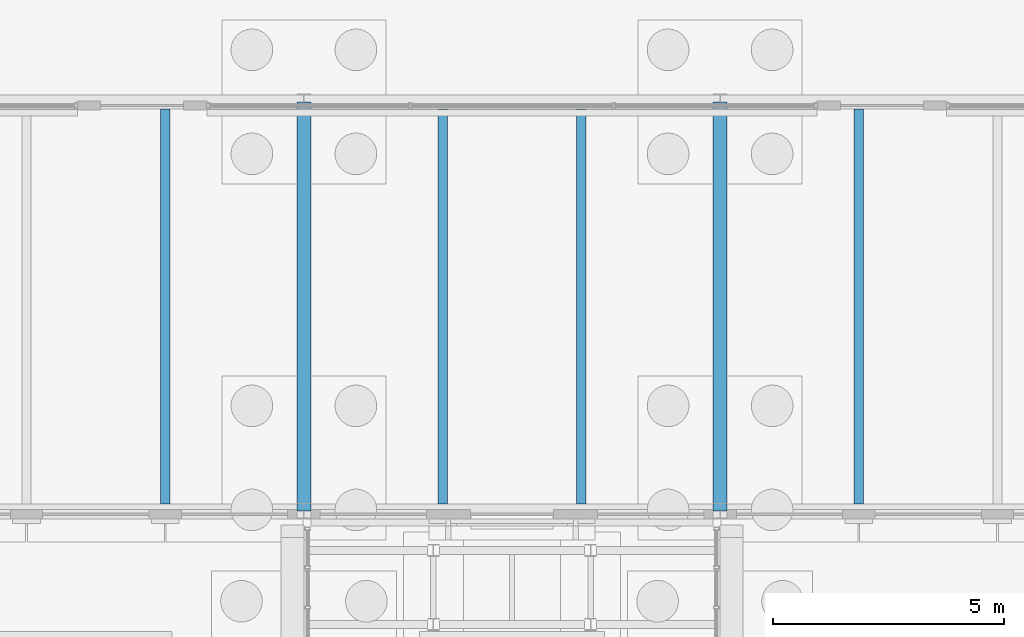
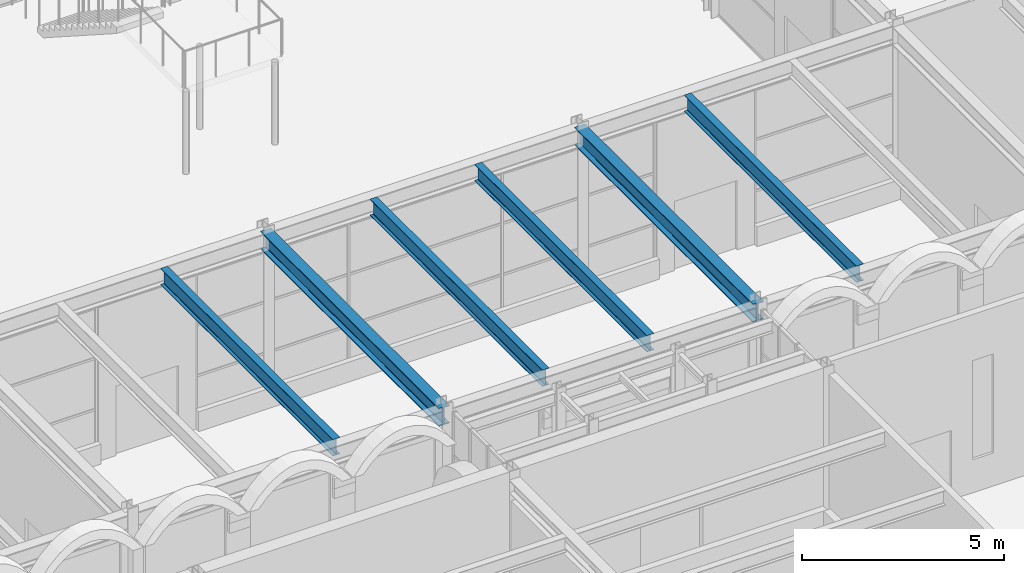
# One storey, part 35 of 126: 6 beams.
"""IFC4 building model written with IfcOpenShell, lengths in metres."""

from ifc_helpers import new_model, si_unit, direction, frame, origin, origin_2d, place, context, subcontext, project, spatial, i_section, extrude, material, material_profile, profile_set, type_object, element, save


model = new_model("IFC4")

# Units and contexts
model_context = context("Model", 3, precision=1e-05, world=origin(), true_north=direction((0.0, 1.0)))
body_context = subcontext(model_context, "Body", "Model", "MODEL_VIEW")
ifc_project = project(units=[si_unit("LENGTHUNIT", "METRE"), si_unit("AREAUNIT", "SQUARE_METRE"), si_unit("VOLUMEUNIT", "CUBIC_METRE"), si_unit("PLANEANGLEUNIT", "RADIAN"), si_unit("MASSUNIT", "GRAM", prefix="KILO")], contexts=[model_context])

# Site, building, storey
site_placement = place(None, origin())
site = spatial("IfcSite", under=ifc_project, at=site_placement, CompositionType="ELEMENT")
building_placement = place(site_placement, origin())
building = spatial("IfcBuilding", under=site, at=building_placement, Name="Kallimachos Central Library", CompositionType="ELEMENT")
storey_placement = place(building_placement, origin())
storey = spatial("IfcBuildingStorey", under=building, at=storey_placement, Name="L00", CompositionType="ELEMENT", Elevation=0.0)

# Beams
ifc_material_1 = material(Name="Steel S355J2", Category="steel")
ifc_material_profile_1 = material_profile(ifc_material_1, i_section(OverallWidth=0.300048828125, OverallDepth=0.550048828125, WebThickness=0.014892578125, FlangeThickness=0.029052734375, FilletRadius=0.027099609375, at=origin_2d()), Name="HEB 550")
ifc_profile_set_1 = profile_set([ifc_material_profile_1], Name="Steel S355J2")
beam_type_1 = type_object("IfcBeamType", Name="HEB 550 beam", PredefinedType="BEAM", material=ifc_profile_set_1)
for number, where, z_axis, x_axis, name in (
    (1, (83.5, 48.14990234375, 4.925048828125), (0.0, 1.0, 0.0), (-1.0, 0.0, 0.0), "V4-BEM-L00-051"),
    (2, (92.5, 48.14990234375, 4.925048828125), (0.0, 1.0, 0.0), (-1.0, 0.0, 0.0), "V4-BEM-L00-052"),
):
    element("IfcBeam", number, at=place(storey_placement, frame(where, z_axis=z_axis, x_axis=x_axis)), inside=storey, type_object=beam_type_1, Name=name, PredefinedType="BEAM", context=body_context, shape_type="SweptSolid", body=[
        extrude(i_section(OverallWidth=0.300048828125, OverallDepth=0.550048828125, WebThickness=0.014892578125, FlangeThickness=0.029052734375, FilletRadius=0.027099609375, at=origin_2d()), origin(), (0.0, 0.0, 1.0), 8.85009765625),
    ])
ifc_material_2 = material(Name="Steel S355J2", Category="steel")
ifc_material_profile_2 = material_profile(ifc_material_2, i_section(OverallWidth=0.199951171875, OverallDepth=0.5, WebThickness=0.01025390625, FlangeThickness=0.01611328125, FilletRadius=0.02099609375, at=origin_2d()), Name="IPE 500")
ifc_profile_set_2 = profile_set([ifc_material_profile_2], Name="Steel S355J2")
beam_type_2 = type_object("IfcBeamType", Name="IPE 500 beam", PredefinedType="BEAM", material=ifc_profile_set_2)
for number, where, z_axis, x_axis, name in (
    (3, (80.5, 48.300048828125, 4.949951171875), (0.0, 1.0, 0.0), (-1.0, 0.0, 0.0), "V4-BEM-L00-057"),
    (4, (86.5, 48.300048828125, 4.949951171875), (0.0, 1.0, 0.0), (-1.0, 0.0, 0.0), "V4-BEM-L00-058"),
    (5, (89.5, 48.300048828125, 4.949951171875), (0.0, 1.0, 0.0), (-1.0, 0.0, 0.0), "V4-BEM-L00-059"),
    (6, (95.5, 48.300048828125, 4.949951171875), (0.0, 1.0, 0.0), (-1.0, 0.0, 0.0), "V4-BEM-L00-060"),
):
    element("IfcBeam", number, at=place(storey_placement, frame(where, z_axis=z_axis, x_axis=x_axis)), inside=storey, type_object=beam_type_2, Name=name, PredefinedType="BEAM", context=body_context, shape_type="SweptSolid", body=[
        extrude(i_section(OverallWidth=0.199951171875, OverallDepth=0.5, WebThickness=0.01025390625, FlangeThickness=0.01611328125, FilletRadius=0.02099609375, at=origin_2d()), origin(), (0.0, 0.0, 1.0), 8.550048828125),
    ])

save(model, "model.ifc")
